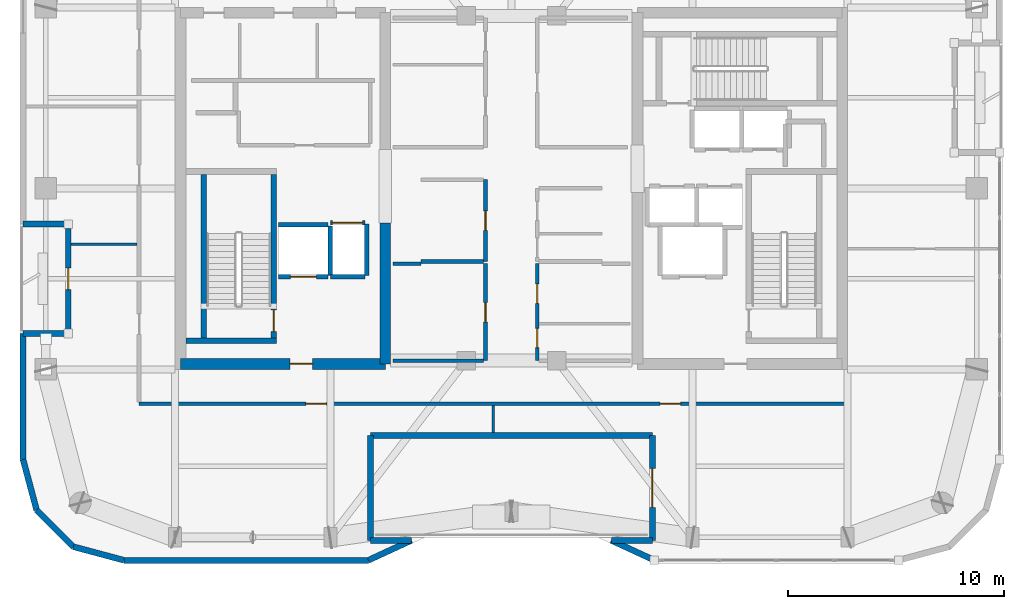
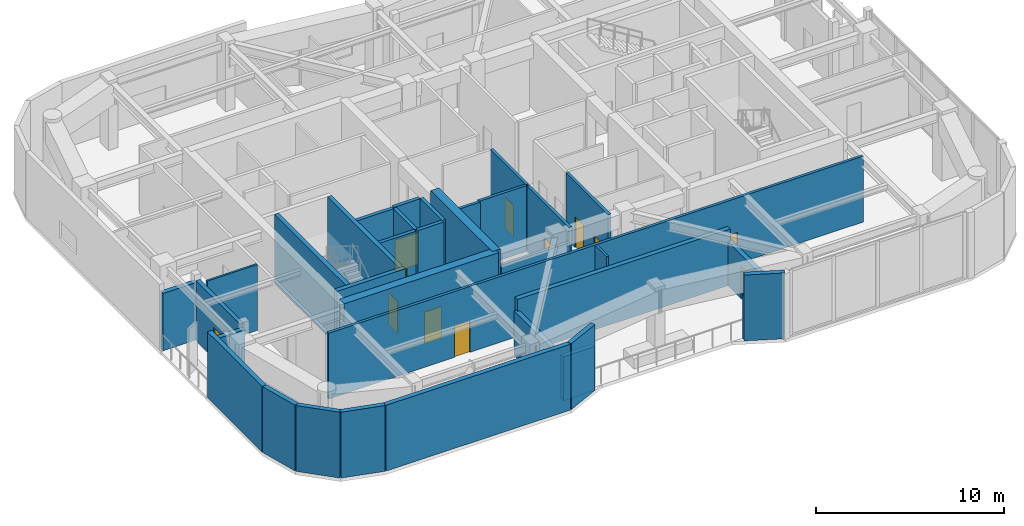
# One storey, part 9 of 14: 35 walls, 12 doors, 12 openings.
"""IFC4 building model written with IfcOpenShell, lengths in metres."""

from ifc_helpers import new_model, si_unit, direction, frame, frame_2d, origin, place, context, subcontext, project, spatial, rectangle, extrude, material, layer, layer_set, type_object, element, fill, save


model = new_model("IFC4")

# Units and contexts
model_context = context("Model", 3, precision=1e-05, world=origin(), true_north=direction((0.0, 1.0)))
body_context = subcontext(model_context, "Body", "Model", "MODEL_VIEW")
ifc_project = project(units=[si_unit("LENGTHUNIT", "METRE"), si_unit("AREAUNIT", "SQUARE_METRE"), si_unit("VOLUMEUNIT", "CUBIC_METRE"), si_unit("PLANEANGLEUNIT", "RADIAN"), si_unit("MASSUNIT", "GRAM", prefix="KILO")], contexts=[model_context])

# Site, building, storey
site_placement = place(None, origin())
site = spatial("IfcSite", under=ifc_project, at=site_placement, CompositionType="ELEMENT")
building_placement = place(site_placement, origin())
building = spatial("IfcBuilding", under=site, at=building_placement, Name="Kiyonajd Concourse Tower", CompositionType="ELEMENT")
storey_placement = place(building_placement, frame((0.0, 0.0, 294.0)))
storey = spatial("IfcBuildingStorey", under=building, at=storey_placement, Name="L74", CompositionType="ELEMENT", Elevation=294.0)

# Wall
ifc_material_1 = material(Name="Concrete C60/75", Category="concrete")
ifc_layer_1 = layer(ifc_material_1, 0.5)
ifc_layer_set_1 = layer_set([ifc_layer_1], Name="Concrete C60/75")
wall_type_1 = type_object("IfcWallType", Name="WL-CORE-500", PredefinedType="SHEAR", material=ifc_layer_set_1)
wall_1_placement = place(storey_placement, frame((42.14990234375, 27.85009765625, 0.0), z_axis=(0.0, 0.0, 1.0), x_axis=(0.0, 1.0, 0.0)))
element("IfcWall", 1, at=wall_1_placement, inside=storey, type_object=wall_type_1, Name="L74 West Core Inner South Shear Wall", PredefinedType="SHEAR", context=body_context, shape_type="SweptSolid", body=[
    extrude(rectangle(XDim=6.5498046875, YDim=0.5, at=frame_2d((3.27490234375, 0.0))), origin(), (0.0, 0.0, 1.0), 4.5),
])

# Wall, opening, door
wall_2_placement = place(storey_placement, frame((32.64990234375, 27.85009765625, 0.0), z_axis=(0.0, 0.0, 1.0), x_axis=(1.0, 0.0, 0.0)))
wall_2 = element("IfcWall", 2, at=wall_2_placement, inside=storey, type_object=wall_type_1, Name="L74 West Core South Shear Wall", PredefinedType="SHEAR", context=body_context, shape_type="SweptSolid", body=[
    extrude(rectangle(XDim=9.5, YDim=0.5, at=frame_2d((4.75, 0.0))), origin(), (0.0, 0.0, 1.0), 4.5),
])
opening_1_placement = place(wall_2_placement, frame((5.074951171875, 0.0, 0.0)))
opening_1 = element("IfcOpeningElement", 3, at=opening_1_placement, cuts=wall_2, Name="Opening DF5", PredefinedType="OPENING", context=body_context, shape_type="SweptSolid", body=[
    extrude(rectangle(XDim=1.050048828125, YDim=2.0400390625, at=frame_2d((0.52490234375, 1.02001953125))), frame((0.0, 0.260009765625, 0.0), z_axis=(0.0, -1.0, 0.0), x_axis=(1.0, 0.0, 0.0)), (0.0, 0.0, 1.0), 0.52001953125),
])
ifc_material_2 = material(Name="Brushed Stainless Steel Cab Assembly", Category="steel")
door_type_1 = type_object("IfcDoorType", Name="DR-FD45-1050", OperationType="NOTDEFINED", PredefinedType="DOOR", material=ifc_material_2)
door_1_placement = place(opening_1_placement, origin())
door_1 = element("IfcDoor", 4, at=door_1_placement, inside=storey, type_object=door_type_1, Name="L74 Firefighting Lift Lobby W Smoke Door", OperationType="SINGLE_SWING_LEFT", OverallHeight=2.0400390625, OverallWidth=1.050048828125, PredefinedType="DOOR", context=body_context, shape_type="SweptSolid", body=[
    extrude(rectangle(XDim=1.050048828125, YDim=2.0400390625, at=frame_2d((0.52490234375, 1.02001953125))), frame((0.0, 0.02490234375, 0.0), z_axis=(0.0, -1.0, 0.0), x_axis=(1.0, 0.0, 0.0)), (0.0, 0.0, 1.0), 0.050048828125),
])
fill(opening_1, door_1)

# Walls
ifc_material_3 = material(Name="Precast concrete C50/60", Category="concrete")
ifc_layer_2 = layer(ifc_material_3, 0.280029296875)
ifc_layer_set_2 = layer_set([ifc_layer_2], Name="Precast concrete C50/60")
wall_type_2 = type_object("IfcWallType", Name="WL-EXT-280", PredefinedType="SOLIDWALL", material=ifc_layer_set_2)
wall_3_placement = place(storey_placement, frame((54.630615234375, 18.739990234375, 0.0), z_axis=(0.0, 0.0, 1.0), x_axis=(-0.9079593845, 0.419058177462, 0.0)))
element("IfcWall", 5, at=wall_3_placement, inside=storey, type_object=wall_type_2, Name="L74 Exterior Concrete Frame Wall 10", PredefinedType="SOLIDWALL", context=body_context, shape_type="SweptSolid", body=[
    extrude(rectangle(XDim=2.1953125, YDim=0.280029296875, at=frame_2d((1.09765625, 0.0))), origin(), (0.0, 0.0, 1.0), 4.280029296875),
])
wall_4_placement = place(storey_placement, frame((52.637451171875, 19.659912109375, 0.0), z_axis=(0.0, 0.0, 1.0), x_axis=(1.0, 0.0, 0.0)))
element("IfcWall", 6, at=wall_4_placement, inside=storey, type_object=wall_type_2, Name="L74 Exterior Concrete Frame Wall 11", PredefinedType="SOLIDWALL", context=body_context, shape_type="SweptSolid", body=[
    extrude(rectangle(XDim=1.902587890625, YDim=0.280029296875, at=frame_2d((0.951171875, 0.0))), origin(), (0.0, 0.0, 1.0), 2.864990234375),
])

# Wall, opening, door
wall_5_placement = place(storey_placement, frame((54.5400390625, 19.659912109375, 0.0), z_axis=(0.0, 0.0, 1.0), x_axis=(0.0, 1.0, 0.0)))
wall_5 = element("IfcWall", 7, at=wall_5_placement, inside=storey, type_object=wall_type_2, Name="L74 Sky Garden Threshold Wall", PredefinedType="SOLIDWALL", context=body_context, shape_type="SweptSolid", body=[
    extrude(rectangle(XDim=4.880126953125, YDim=0.280029296875, at=frame_2d((2.43994140625, 0.0))), origin(), (0.0, 0.0, 1.0), 2.864990234375),
])
opening_2_placement = place(wall_5_placement, frame((1.5400390625, 0.0, 0.0)))
opening_2 = element("IfcOpeningElement", 8, at=opening_2_placement, cuts=wall_5, Name="Opening DSK1", PredefinedType="OPENING", context=body_context, shape_type="SweptSolid", body=[
    extrude(rectangle(XDim=1.800048828125, YDim=2.10009765625, at=frame_2d((0.89990234375, 1.050048828125))), frame((0.0, 0.14990234375, 0.0), z_axis=(0.0, -1.0, 0.0), x_axis=(1.0, 0.0, 0.0)), (0.0, 0.0, 1.0), 0.300048828125),
])
ifc_material_4 = material(Name="Thermally Broken Anodised Aluminium", Category="aluminium")
door_type_2 = type_object("IfcDoorType", Name="DR-SKY-1800", OperationType="DOUBLE_DOOR_SINGLE_SWING", PredefinedType="DOOR", material=ifc_material_4)
door_2_placement = place(opening_2_placement, origin())
door_2 = element("IfcDoor", 9, at=door_2_placement, inside=storey, type_object=door_type_2, Name="L74 Sky Garden Terrace Double Door", OperationType="DOUBLE_DOOR_SINGLE_SWING", OverallHeight=2.10009765625, OverallWidth=1.800048828125, PredefinedType="DOOR", context=body_context, shape_type="SweptSolid", body=[
    extrude(rectangle(XDim=1.800048828125, YDim=2.10009765625, at=frame_2d((0.89990234375, 1.050048828125))), frame((0.0, 0.02490234375, 0.0), z_axis=(0.0, -1.0, 0.0), x_axis=(1.0, 0.0, 0.0)), (0.0, 0.0, 1.0), 0.050048828125),
])
fill(opening_2, door_2)

# Walls
wall_6_placement = place(storey_placement, frame((54.5400390625, 24.5400390625, 0.0), z_axis=(0.0, 0.0, 1.0), x_axis=(-1.0, 0.0, 0.0)))
element("IfcWall", 10, at=wall_6_placement, inside=storey, type_object=wall_type_2, Name="L74 Sky Garden Threshold Wall", PredefinedType="SOLIDWALL", context=body_context, shape_type="SweptSolid", body=[
    extrude(rectangle(XDim=13.080078125, YDim=0.280029296875, at=frame_2d((6.5400390625, 0.0))), origin(), (0.0, 0.0, 1.0), 3.64306640625),
])
wall_7_placement = place(storey_placement, frame((41.4599609375, 24.5400390625, 0.0), z_axis=(0.0, 0.0, 1.0), x_axis=(0.0, -1.0, 0.0)))
element("IfcWall", 11, at=wall_7_placement, inside=storey, type_object=wall_type_2, Name="L74 Sky Garden Threshold Wall", PredefinedType="SOLIDWALL", context=body_context, shape_type="SweptSolid", body=[
    extrude(rectangle(XDim=4.880126953125, YDim=0.280029296875, at=frame_2d((2.43994140625, 0.0))), origin(), (0.0, 0.0, 1.0), 2.864990234375),
])
wall_8_placement = place(storey_placement, frame((41.4599609375, 19.659912109375, 0.0), z_axis=(0.0, 0.0, 1.0), x_axis=(1.0, 0.0, 0.0)))
element("IfcWall", 12, at=wall_8_placement, inside=storey, type_object=wall_type_2, Name="L74 Exterior Concrete Frame Wall 15", PredefinedType="SOLIDWALL", context=body_context, shape_type="SweptSolid", body=[
    extrude(rectangle(XDim=1.902587890625, YDim=0.280029296875, at=frame_2d((0.951171875, 0.0))), origin(), (0.0, 0.0, 1.0), 2.864990234375),
])
wall_9_placement = place(storey_placement, frame((43.362548828125, 19.659912109375, 0.0), z_axis=(0.0, 0.0, 1.0), x_axis=(-0.9079593845, -0.419058177462, 0.0)))
element("IfcWall", 13, at=wall_9_placement, inside=storey, type_object=wall_type_2, Name="L74 Exterior Concrete Frame Wall 16", PredefinedType="SOLIDWALL", context=body_context, shape_type="SweptSolid", body=[
    extrude(rectangle(XDim=2.1953125, YDim=0.280029296875, at=frame_2d((1.09765625, 0.0))), origin(), (0.0, 0.0, 1.0), 4.280029296875),
])
wall_10_placement = place(storey_placement, frame((41.369384765625, 18.739990234375, 0.0), z_axis=(0.0, 0.0, 1.0), x_axis=(-1.0, 0.0, 0.0)))
element("IfcWall", 14, at=wall_10_placement, inside=storey, type_object=wall_type_2, Name="L74 Exterior Concrete Frame Wall 17", PredefinedType="SOLIDWALL", context=body_context, shape_type="SweptSolid", body=[
    extrude(rectangle(XDim=11.35107421875, YDim=0.280029296875, at=frame_2d((5.675537109375, 0.0))), origin(), (0.0, 0.0, 1.0), 4.280029296875),
])
wall_11_placement = place(storey_placement, frame((30.018310546875, 18.739990234375, 0.0), z_axis=(0.0, 0.0, 1.0), x_axis=(-0.965937282298, 0.25877628691, 0.0)))
element("IfcWall", 15, at=wall_11_placement, inside=storey, type_object=wall_type_2, Name="L74 Exterior Concrete Frame Wall 18", PredefinedType="SOLIDWALL", context=body_context, shape_type="SweptSolid", body=[
    extrude(rectangle(XDim=2.428466796875, YDim=0.280029296875, at=frame_2d((1.21435546875, 0.0))), origin(), (0.0, 0.0, 1.0), 4.280029296875),
])
wall_12_placement = place(storey_placement, frame((27.672607421875, 19.368408203125, 0.0), z_axis=(0.0, 0.0, 1.0), x_axis=(-0.707106781187, 0.707106781187, 0.0)))
element("IfcWall", 16, at=wall_12_placement, inside=storey, type_object=wall_type_2, Name="L74 Exterior Concrete Frame Wall 19", PredefinedType="SOLIDWALL", context=body_context, shape_type="SweptSolid", body=[
    extrude(rectangle(XDim=2.409912109375, YDim=0.280029296875, at=frame_2d((1.205078125, 0.0))), origin(), (0.0, 0.0, 1.0), 4.280029296875),
])
wall_13_placement = place(storey_placement, frame((25.968505859375, 21.072509765625, 0.0), z_axis=(0.0, 0.0, 1.0), x_axis=(-0.258751159445, 0.965944013639, 0.0)))
element("IfcWall", 17, at=wall_13_placement, inside=storey, type_object=wall_type_2, Name="L74 Exterior Concrete Frame Wall 20", PredefinedType="SOLIDWALL", context=body_context, shape_type="SweptSolid", body=[
    extrude(rectangle(XDim=2.4287109375, YDim=0.280029296875, at=frame_2d((1.21435546875, 0.0))), origin(), (0.0, 0.0, 1.0), 4.280029296875),
])
wall_14_placement = place(storey_placement, frame((25.340087890625, 23.41845703125, 0.0), z_axis=(0.0, 0.0, 1.0), x_axis=(0.0, 1.0, 0.0)))
element("IfcWall", 18, at=wall_14_placement, inside=storey, type_object=wall_type_2, Name="L74 Exterior Concrete Frame Wall 21", PredefinedType="SOLIDWALL", context=body_context, shape_type="SweptSolid", body=[
    extrude(rectangle(XDim=5.841552734375, YDim=0.280029296875, at=frame_2d((2.9208984375, 0.0))), origin(), (0.0, 0.0, 1.0), 4.280029296875),
])
for number, where, z_axis, x_axis, name in (
    (19, (25.340087890625, 29.260009765625, 0.0), (0.0, 0.0, 1.0), (1.0, 0.0, 0.0), "L74 Exterior Concrete Frame Wall 22"),
    (20, (27.43994140625, 34.340087890625, 0.0), (0.0, 0.0, 1.0), (-1.0, 0.0, 0.0), "L74 Exterior Concrete Frame Wall 24"),
):
    element("IfcWall", number, at=place(storey_placement, frame(where, z_axis=z_axis, x_axis=x_axis)), inside=storey, type_object=wall_type_2, Name=name, PredefinedType="SOLIDWALL", context=body_context, shape_type="SweptSolid", body=[
        extrude(rectangle(XDim=2.099853515625, YDim=0.280029296875, at=frame_2d((1.0498046875, 0.0))), origin(), (0.0, 0.0, 1.0), 3.72607421875),
    ])

# Wall, opening, door
ifc_layer_3 = layer(ifc_material_3, 0.239990234375)
ifc_layer_set_3 = layer_set([ifc_layer_3], Name="Precast concrete C50/60")
wall_type_3 = type_object("IfcWallType", Name="WL-LOG-240", PredefinedType="SOLIDWALL", material=ifc_layer_set_3)
wall_15_placement = place(storey_placement, frame((27.43994140625, 29.455078125, 0.0), z_axis=(0.0, 0.0, 1.0), x_axis=(0.0, 1.0, 0.0)))
wall_15 = element("IfcWall", 21, at=wall_15_placement, inside=storey, type_object=wall_type_3, Name="L74 Recessed Loggia Thermal Wall LOG-W", PredefinedType="SOLIDWALL", context=body_context, shape_type="SweptSolid", body=[
    extrude(rectangle(XDim=4.68994140625, YDim=0.239990234375, at=frame_2d((2.344970703125, 0.0))), origin(), (0.0, 0.0, 1.0), 3.910888671875),
])
opening_3_placement = place(wall_15_placement, frame((1.844970703125, 0.0, 0.0)))
opening_3 = element("IfcOpeningElement", 22, at=opening_3_placement, cuts=wall_15, Name="Opening DL1", PredefinedType="OPENING", context=body_context, shape_type="SweptSolid", body=[
    extrude(rectangle(XDim=1.0, YDim=2.02001953125, at=frame_2d((0.5, 1.010009765625))), frame((0.0, 0.1298828125, 0.0), z_axis=(0.0, -1.0, 0.0), x_axis=(1.0, 0.0, 0.0)), (0.0, 0.0, 1.0), 0.260009765625),
])
door_type_3 = type_object("IfcDoorType", Name="DR-LOG-1000", OperationType="NOTDEFINED", PredefinedType="DOOR", material=ifc_material_4)
door_3_placement = place(opening_3_placement, origin())
door_3 = element("IfcDoor", 23, at=door_3_placement, inside=storey, type_object=door_type_3, Name="L74 Engawa Loggia Access Door LOG-W", OperationType="SINGLE_SWING_RIGHT", OverallHeight=2.02001953125, OverallWidth=1.0, PredefinedType="DOOR", context=body_context, shape_type="SweptSolid", body=[
    extrude(rectangle(XDim=1.0, YDim=2.02001953125, at=frame_2d((0.5, 1.010009765625))), frame((0.0, 0.02490234375, 0.0), z_axis=(0.0, -1.0, 0.0), x_axis=(1.0, 0.0, 0.0)), (0.0, 0.0, 1.0), 0.050048828125),
])
fill(opening_3, door_3)

# Walls
ifc_material_5 = material(Name="Gypsum Board on Cold-Formed Steel Stud", Category="steel")
ifc_layer_4 = layer(ifc_material_5, 0.125)
ifc_layer_set_4 = layer_set([ifc_layer_4], Name="Gypsum Board on Cold-Formed Steel Stud")
wall_type_4 = type_object("IfcWallType", Name="WL-PART-125", PredefinedType="PARTITIONING", material=ifc_layer_set_4)
wall_16_placement = place(storey_placement, frame((47.159912109375, 24.675048828125, 0.0), z_axis=(0.0, 0.0, 1.0), x_axis=(0.0, 1.0, 0.0)))
element("IfcWall", 24, at=wall_16_placement, inside=storey, type_object=wall_type_4, Name="L74 Interior Partition Wall", PredefinedType="PARTITIONING", context=body_context, shape_type="SweptSolid", body=[
    extrude(rectangle(XDim=1.238037109375, YDim=0.125, at=frame_2d((0.619140625, 0.0))), origin(), (0.0, 0.0, 1.0), 4.280029296875),
])
wall_17_placement = place(storey_placement, frame((27.554931640625, 33.39990234375, 0.0), z_axis=(0.0, 0.0, 1.0), x_axis=(1.0, 0.0, 0.0)))
element("IfcWall", 25, at=wall_17_placement, inside=storey, type_object=wall_type_4, Name="L74 Interior Partition Wall", PredefinedType="PARTITIONING", context=body_context, shape_type="SweptSolid", body=[
    extrude(rectangle(XDim=3.0830078125, YDim=0.125, at=frame_2d((1.54150390625, 0.0))), origin(), (0.0, 0.0, 1.0), 4.280029296875),
])

# Wall, opening, door
ifc_layer_5 = layer(ifc_material_5, 0.2099609375)
ifc_layer_set_5 = layer_set([ifc_layer_5], Name="Gypsum Board on Cold-Formed Steel Stud")
wall_type_5 = type_object("IfcWallType", Name="WL-SHAFT-210", PredefinedType="PARTITIONING", material=ifc_layer_set_5)
wall_18_placement = place(storey_placement, frame((37.199951171875, 31.89990234375, 0.0), z_axis=(0.0, 0.0, 1.0), x_axis=(1.0, 0.0, 0.0)))
wall_18 = element("IfcWall", 26, at=wall_18_placement, inside=storey, type_object=wall_type_5, Name="L74 Shaft Enclosure Wall", PredefinedType="PARTITIONING", context=body_context, shape_type="SweptSolid", body=[
    extrude(rectangle(XDim=2.300048828125, YDim=0.2099609375, at=frame_2d((1.14990234375, 0.0))), origin(), (0.0, 0.0, 1.0), 4.280029296875),
])
opening_4_placement = place(wall_18_placement, frame((0.550048828125, 0.0, 0.0)))
opening_4 = element("IfcOpeningElement", 27, at=opening_4_placement, cuts=wall_18, Name="Opening LD2", PredefinedType="OPENING", context=body_context, shape_type="SweptSolid", body=[
    extrude(rectangle(XDim=1.199951171875, YDim=2.0400390625, at=frame_2d((0.60009765625, 1.02001953125))), frame((0.0, 0.114990234375, 0.0), z_axis=(0.0, -1.0, 0.0), x_axis=(1.0, 0.0, 0.0)), (0.0, 0.0, 1.0), 0.22998046875),
])
door_type_4 = type_object("IfcDoorType", Name="DR-LD-1200", OperationType="DOUBLE_DOOR_SLIDING", PredefinedType="DOOR", material=ifc_material_2)
door_4_placement = place(opening_4_placement, origin())
door_4 = element("IfcDoor", 28, at=door_4_placement, inside=storey, type_object=door_type_4, Name="L74 Lift FFL1 Sliding Landing Door", OperationType="DOUBLE_DOOR_SLIDING", OverallHeight=2.0400390625, OverallWidth=1.199951171875, PredefinedType="DOOR", context=body_context, shape_type="SweptSolid", body=[
    extrude(rectangle(XDim=1.199951171875, YDim=2.0400390625, at=frame_2d((0.60009765625, 1.02001953125))), frame((0.0, 0.02490234375, 0.0), z_axis=(0.0, -1.0, 0.0), x_axis=(1.0, 0.0, 0.0)), (0.0, 0.0, 1.0), 0.050048828125),
])
fill(opening_4, door_4)

# Walls
wall_19_placement = place(storey_placement, frame((37.199951171875, 34.300048828125, 0.0), z_axis=(0.0, 0.0, 1.0), x_axis=(1.0, 0.0, 0.0)))
element("IfcWall", 29, at=wall_19_placement, inside=storey, type_object=wall_type_5, Name="L74 Shaft Enclosure Wall", PredefinedType="PARTITIONING", context=body_context, shape_type="SweptSolid", body=[
    extrude(rectangle(XDim=2.300048828125, YDim=0.2099609375, at=frame_2d((1.14990234375, 0.0))), origin(), (0.0, 0.0, 1.0), 4.280029296875),
])
wall_20_placement = place(storey_placement, frame((39.60009765625, 31.9599609375, 0.0), z_axis=(0.0, 0.0, 1.0), x_axis=(0.0, 1.0, 0.0)))
element("IfcWall", 30, at=wall_20_placement, inside=storey, type_object=wall_type_5, Name="L74 Shaft Enclosure Wall", PredefinedType="PARTITIONING", context=body_context, shape_type="SweptSolid", body=[
    extrude(rectangle(XDim=2.280029296875, YDim=0.2099609375, at=frame_2d((1.14013671875, 0.0))), origin(), (0.0, 0.0, 1.0), 4.280029296875),
])

# Wall, opening, door
wall_21_placement = place(storey_placement, frame((39.60009765625, 34.39990234375, 0.0), z_axis=(0.0, 0.0, 1.0), x_axis=(1.0, 0.0, 0.0)))
wall_21 = element("IfcWall", 31, at=wall_21_placement, inside=storey, type_object=wall_type_5, Name="L74 Shaft Enclosure Wall", PredefinedType="PARTITIONING", context=body_context, shape_type="SweptSolid", body=[
    extrude(rectangle(XDim=1.599853515625, YDim=0.2099609375, at=frame_2d((0.7998046875, 0.0))), origin(), (0.0, 0.0, 1.0), 4.280029296875),
])
opening_5_placement = place(wall_21_placement, frame((0.10009765625, 0.0, 0.0)))
opening_5 = element("IfcOpeningElement", 32, at=opening_5_placement, cuts=wall_21, Name="Opening LD3", PredefinedType="OPENING", context=body_context, shape_type="SweptSolid", body=[
    extrude(rectangle(XDim=1.39990234375, YDim=2.06005859375, at=frame_2d((0.699951171875, 1.030029296875))), frame((0.0, 0.114990234375, 0.0), z_axis=(0.0, -1.0, 0.0), x_axis=(1.0, 0.0, 0.0)), (0.0, 0.0, 1.0), 0.22998046875),
])
door_type_5 = type_object("IfcDoorType", Name="DR-LD-1400", OperationType="DOUBLE_DOOR_SLIDING", PredefinedType="DOOR", material=ifc_material_2)
door_5_placement = place(opening_5_placement, origin())
door_5 = element("IfcDoor", 33, at=door_5_placement, inside=storey, type_object=door_type_5, Name="L74 Lift SVL1 Sliding Landing Door", OperationType="DOUBLE_DOOR_SLIDING", OverallHeight=2.06005859375, OverallWidth=1.39990234375, PredefinedType="DOOR", context=body_context, shape_type="SweptSolid", body=[
    extrude(rectangle(XDim=1.39990234375, YDim=2.06005859375, at=frame_2d((0.699951171875, 1.030029296875))), frame((0.0, 0.02490234375, 0.0), z_axis=(0.0, -1.0, 0.0), x_axis=(1.0, 0.0, 0.0)), (0.0, 0.0, 1.0), 0.050048828125),
])
fill(opening_5, door_5)

# Walls
wall_22_placement = place(storey_placement, frame((39.60009765625, 31.89990234375, 0.0), z_axis=(0.0, 0.0, 1.0), x_axis=(1.0, 0.0, 0.0)))
element("IfcWall", 34, at=wall_22_placement, inside=storey, type_object=wall_type_5, Name="L74 Shaft Enclosure Wall", PredefinedType="PARTITIONING", context=body_context, shape_type="SweptSolid", body=[
    extrude(rectangle(XDim=1.599853515625, YDim=0.2099609375, at=frame_2d((0.7998046875, 0.0))), origin(), (0.0, 0.0, 1.0), 4.280029296875),
])
wall_23_placement = place(storey_placement, frame((41.300048828125, 31.9599609375, 0.0), z_axis=(0.0, 0.0, 1.0), x_axis=(0.0, 1.0, 0.0)))
element("IfcWall", 35, at=wall_23_placement, inside=storey, type_object=wall_type_5, Name="L74 Shaft Enclosure Wall", PredefinedType="PARTITIONING", context=body_context, shape_type="SweptSolid", body=[
    extrude(rectangle(XDim=2.380126953125, YDim=0.2099609375, at=frame_2d((1.18994140625, 0.0))), origin(), (0.0, 0.0, 1.0), 4.280029296875),
])

# Wall, opening, door
ifc_layer_6 = layer(ifc_material_5, 0.169921875)
ifc_layer_set_6 = layer_set([ifc_layer_6], Name="Gypsum Board on Cold-Formed Steel Stud")
wall_type_6 = type_object("IfcWallType", Name="WL-SMK-170", PredefinedType="PARTITIONING", material=ifc_layer_set_6)
wall_24_placement = place(storey_placement, frame((46.800048828125, 32.60009765625, 0.0), z_axis=(0.0, 0.0, 1.0), x_axis=(0.0, 1.0, 0.0)))
wall_24 = element("IfcWall", 36, at=wall_24_placement, inside=storey, type_object=wall_type_6, Name="L74 Interior Partition Wall", PredefinedType="PARTITIONING", context=body_context, shape_type="SweptSolid", body=[
    extrude(rectangle(XDim=3.7998046875, YDim=0.169921875, at=frame_2d((1.89990234375, 0.0))), origin(), (0.0, 0.0, 1.0), 4.280029296875),
])
opening_6_placement = place(wall_24_placement, frame((1.449951171875, 0.0, 0.0)))
opening_6 = element("IfcOpeningElement", 37, at=opening_6_placement, cuts=wall_24, Name="Opening DI2", PredefinedType="OPENING", context=body_context, shape_type="SweptSolid", body=[
    extrude(rectangle(XDim=0.89990234375, YDim=2.02001953125, at=frame_2d((0.449951171875, 1.010009765625))), frame((0.0, 0.094970703125, 0.0), z_axis=(0.0, -1.0, 0.0), x_axis=(1.0, 0.0, 0.0)), (0.0, 0.0, 1.0), 0.18994140625),
])
ifc_material_6 = material(Name="Natural Oak Acoustic Timber Veneer", Category="wood")
door_type_6 = type_object("IfcDoorType", Name="DR-INT-900", OperationType="NOTDEFINED", PredefinedType="DOOR", material=ifc_material_6)
door_6_placement = place(opening_6_placement, origin())
door_6 = element("IfcDoor", 38, at=door_6_placement, inside=storey, type_object=door_type_6, Name="L74 Interior Door", OperationType="SINGLE_SWING_RIGHT", OverallHeight=2.02001953125, OverallWidth=0.89990234375, PredefinedType="DOOR", context=body_context, shape_type="SweptSolid", body=[
    extrude(rectangle(XDim=0.89990234375, YDim=2.02001953125, at=frame_2d((0.449951171875, 1.010009765625))), frame((0.0, 0.02490234375, 0.0), z_axis=(0.0, -1.0, 0.0), x_axis=(1.0, 0.0, 0.0)), (0.0, 0.0, 1.0), 0.050048828125),
])
fill(opening_6, door_6)

# Wall
wall_25_placement = place(storey_placement, frame((43.800048828125, 32.60009765625, 0.0), z_axis=(0.0, 0.0, 1.0), x_axis=(1.0, 0.0, 0.0)))
element("IfcWall", 39, at=wall_25_placement, inside=storey, type_object=wall_type_6, Name="L74 Interior Partition Wall", PredefinedType="PARTITIONING", context=body_context, shape_type="SweptSolid", body=[
    extrude(rectangle(XDim=2.912841796875, YDim=0.169921875, at=frame_2d((1.45654296875, 0.0))), origin(), (0.0, 0.0, 1.0), 4.280029296875),
])

# Wall, opening, door
wall_26_placement = place(storey_placement, frame((46.800048828125, 28.0, 0.0), z_axis=(0.0, 0.0, 1.0), x_axis=(0.0, 1.0, 0.0)))
wall_26 = element("IfcWall", 40, at=wall_26_placement, inside=storey, type_object=wall_type_6, Name="L74 Interior Partition Wall", PredefinedType="PARTITIONING", context=body_context, shape_type="SweptSolid", body=[
    extrude(rectangle(XDim=4.5, YDim=0.169921875, at=frame_2d((2.25, 0.0))), origin(), (0.0, 0.0, 1.0), 4.280029296875),
])
opening_7_placement = place(wall_26_placement, frame((1.800048828125, 0.0, 0.0)))
opening_7 = element("IfcOpeningElement", 41, at=opening_7_placement, cuts=wall_26, Name="Opening DI2", PredefinedType="OPENING", context=body_context, shape_type="SweptSolid", body=[
    extrude(rectangle(XDim=0.89990234375, YDim=2.02001953125, at=frame_2d((0.449951171875, 1.010009765625))), frame((0.0, 0.094970703125, 0.0), z_axis=(0.0, -1.0, 0.0), x_axis=(1.0, 0.0, 0.0)), (0.0, 0.0, 1.0), 0.18994140625),
])
door_7_placement = place(opening_7_placement, origin())
door_7 = element("IfcDoor", 42, at=door_7_placement, inside=storey, type_object=door_type_6, Name="L74 Interior Door", OperationType="SINGLE_SWING_LEFT", OverallHeight=2.02001953125, OverallWidth=0.89990234375, PredefinedType="DOOR", context=body_context, shape_type="SweptSolid", body=[
    extrude(rectangle(XDim=0.89990234375, YDim=2.02001953125, at=frame_2d((0.449951171875, 1.010009765625))), frame((0.0, 0.02490234375, 0.0), z_axis=(0.0, -1.0, 0.0), x_axis=(1.0, 0.0, 0.0)), (0.0, 0.0, 1.0), 0.050048828125),
])
fill(opening_7, door_7)

# Walls
wall_27_placement = place(storey_placement, frame((42.5, 28.0, 0.0), z_axis=(0.0, 0.0, 1.0), x_axis=(1.0, 0.0, 0.0)))
element("IfcWall", 43, at=wall_27_placement, inside=storey, type_object=wall_type_6, Name="L74 Interior Partition Wall", PredefinedType="PARTITIONING", context=body_context, shape_type="SweptSolid", body=[
    extrude(rectangle(XDim=4.212890625, YDim=0.169921875, at=frame_2d((2.1064453125, 0.0))), origin(), (0.0, 0.0, 1.0), 3.364990234375),
])
wall_28_placement = place(storey_placement, frame((42.5, 32.5, 0.0), z_axis=(0.0, 0.0, 1.0), x_axis=(1.0, 0.0, 0.0)))
element("IfcWall", 44, at=wall_28_placement, inside=storey, type_object=wall_type_6, Name="L74 Interior Partition Wall", PredefinedType="PARTITIONING", context=body_context, shape_type="SweptSolid", body=[
    extrude(rectangle(XDim=1.300048828125, YDim=0.169921875, at=frame_2d((0.64990234375, 0.0))), origin(), (0.0, 0.0, 1.0), 4.280029296875),
])

# Wall, openings, doors
wall_29_placement = place(storey_placement, frame((49.199951171875, 28.0, 0.0), z_axis=(0.0, 0.0, 1.0), x_axis=(0.0, 1.0, 0.0)))
wall_29 = element("IfcWall", 45, at=wall_29_placement, inside=storey, type_object=wall_type_6, Name="L74 Interior Partition Wall", PredefinedType="PARTITIONING", context=body_context, shape_type="SweptSolid", body=[
    extrude(rectangle(XDim=4.5, YDim=0.169921875, at=frame_2d((2.25, 0.0))), origin(), (0.0, 0.0, 1.0), 4.280029296875),
])
opening_8_placement = place(wall_29_placement, frame((0.60498046875, 0.0, 0.0)))
opening_8 = element("IfcOpeningElement", 46, at=opening_8_placement, cuts=wall_29, Name="Opening DI2", PredefinedType="OPENING", context=body_context, shape_type="SweptSolid", body=[
    extrude(rectangle(XDim=0.89990234375, YDim=2.02001953125, at=frame_2d((0.449951171875, 1.010009765625))), frame((0.0, 0.094970703125, 0.0), z_axis=(0.0, -1.0, 0.0), x_axis=(1.0, 0.0, 0.0)), (0.0, 0.0, 1.0), 0.18994140625),
])
opening_9_placement = place(wall_29_placement, frame((2.655029296875, 0.0, 0.0)))
opening_9 = element("IfcOpeningElement", 47, at=opening_9_placement, cuts=wall_29, Name="Opening DI2", PredefinedType="OPENING", context=body_context, shape_type="SweptSolid", body=[
    extrude(rectangle(XDim=0.89990234375, YDim=2.02001953125, at=frame_2d((0.449951171875, 1.010009765625))), frame((0.0, 0.094970703125, 0.0), z_axis=(0.0, -1.0, 0.0), x_axis=(1.0, 0.0, 0.0)), (0.0, 0.0, 1.0), 0.18994140625),
])
door_8_placement = place(opening_8_placement, origin())
door_8 = element("IfcDoor", 48, at=door_8_placement, inside=storey, type_object=door_type_6, Name="L74 Interior Door", OperationType="SINGLE_SWING_RIGHT", OverallHeight=2.02001953125, OverallWidth=0.89990234375, PredefinedType="DOOR", context=body_context, shape_type="SweptSolid", body=[
    extrude(rectangle(XDim=0.89990234375, YDim=2.02001953125, at=frame_2d((0.449951171875, 1.010009765625))), frame((0.0, 0.02490234375, 0.0), z_axis=(0.0, -1.0, 0.0), x_axis=(1.0, 0.0, 0.0)), (0.0, 0.0, 1.0), 0.050048828125),
])
fill(opening_8, door_8)
door_9_placement = place(opening_9_placement, origin())
door_9 = element("IfcDoor", 49, at=door_9_placement, inside=storey, type_object=door_type_6, Name="L74 Interior Door", OperationType="SINGLE_SWING_LEFT", OverallHeight=2.02001953125, OverallWidth=0.89990234375, PredefinedType="DOOR", context=body_context, shape_type="SweptSolid", body=[
    extrude(rectangle(XDim=0.89990234375, YDim=2.02001953125, at=frame_2d((0.449951171875, 1.010009765625))), frame((0.0, 0.02490234375, 0.0), z_axis=(0.0, -1.0, 0.0), x_axis=(1.0, 0.0, 0.0)), (0.0, 0.0, 1.0), 0.050048828125),
])
fill(opening_9, door_9)

wall_30_placement = place(storey_placement, frame((30.72509765625, 26.0, 0.0), z_axis=(0.0, 0.0, 1.0), x_axis=(1.0, 0.0, 0.0)))
wall_30 = element("IfcWall", 50, at=wall_30_placement, inside=storey, type_object=wall_type_6, Name="L74 Interior Partition Wall", PredefinedType="PARTITIONING", context=body_context, shape_type="SweptSolid", body=[
    extrude(rectangle(XDim=32.875, YDim=0.169921875, at=frame_2d((16.4375, 0.0))), origin(), (0.0, 0.0, 1.0), 4.280029296875),
])
opening_10_placement = place(wall_30_placement, frame((7.741943359375, 0.0, 0.0)))
opening_10 = element("IfcOpeningElement", 51, at=opening_10_placement, cuts=wall_30, Name="Opening DI1", PredefinedType="OPENING", context=body_context, shape_type="SweptSolid", body=[
    extrude(rectangle(XDim=0.949951171875, YDim=2.0400390625, at=frame_2d((0.47509765625, 1.02001953125))), frame((0.0, 0.094970703125, 0.0), z_axis=(0.0, -1.0, 0.0), x_axis=(1.0, 0.0, 0.0)), (0.0, 0.0, 1.0), 0.18994140625),
])
opening_11_placement = place(wall_30_placement, frame((24.179931640625, 0.0, 0.0)))
opening_11 = element("IfcOpeningElement", 52, at=opening_11_placement, cuts=wall_30, Name="Opening DI1", PredefinedType="OPENING", context=body_context, shape_type="SweptSolid", body=[
    extrude(rectangle(XDim=0.949951171875, YDim=2.0400390625, at=frame_2d((0.47509765625, 1.02001953125))), frame((0.0, 0.094970703125, 0.0), z_axis=(0.0, -1.0, 0.0), x_axis=(1.0, 0.0, 0.0)), (0.0, 0.0, 1.0), 0.18994140625),
])
door_type_7 = type_object("IfcDoorType", Name="DR-INT-950", OperationType="NOTDEFINED", PredefinedType="DOOR", material=ifc_material_6)
door_10_placement = place(opening_10_placement, origin())
door_10 = element("IfcDoor", 53, at=door_10_placement, inside=storey, type_object=door_type_7, Name="L74 Interior Door", OperationType="SINGLE_SWING_LEFT", OverallHeight=2.0400390625, OverallWidth=0.949951171875, PredefinedType="DOOR", context=body_context, shape_type="SweptSolid", body=[
    extrude(rectangle(XDim=0.949951171875, YDim=2.0400390625, at=frame_2d((0.47509765625, 1.02001953125))), frame((0.0, 0.02490234375, 0.0), z_axis=(0.0, -1.0, 0.0), x_axis=(1.0, 0.0, 0.0)), (0.0, 0.0, 1.0), 0.050048828125),
])
fill(opening_10, door_10)
door_11_placement = place(opening_11_placement, origin())
door_11 = element("IfcDoor", 54, at=door_11_placement, inside=storey, type_object=door_type_7, Name="L74 Interior Door", OperationType="SINGLE_SWING_RIGHT", OverallHeight=2.0400390625, OverallWidth=0.949951171875, PredefinedType="DOOR", context=body_context, shape_type="SweptSolid", body=[
    extrude(rectangle(XDim=0.949951171875, YDim=2.0400390625, at=frame_2d((0.47509765625, 1.02001953125))), frame((0.0, 0.02490234375, 0.0), z_axis=(0.0, -1.0, 0.0), x_axis=(1.0, 0.0, 0.0)), (0.0, 0.0, 1.0), 0.050048828125),
])
fill(opening_11, door_11)

# Walls
ifc_material_7 = material(Name="Concrete C50/60", Category="concrete")
ifc_layer_7 = layer(ifc_material_7, 0.260009765625)
ifc_layer_set_7 = layer_set([ifc_layer_7], Name="Concrete C50/60")
wall_type_7 = type_object("IfcWallType", Name="WL-STAIR-260", PredefinedType="SHEAR", material=ifc_layer_set_7)
wall_31_placement = place(storey_placement, frame((32.89990234375, 28.919921875, 0.0), z_axis=(0.0, 0.0, 1.0), x_axis=(1.0, 0.0, 0.0)))
element("IfcWall", 55, at=wall_31_placement, inside=storey, type_object=wall_type_7, Name="L74 Stair ST1 Structural South Wall", PredefinedType="SHEAR", context=body_context, shape_type="SweptSolid", body=[
    extrude(rectangle(XDim=4.210205078125, YDim=0.260009765625, at=frame_2d((2.10498046875, 0.0))), origin(), (0.0, 0.0, 1.0), 4.5),
])
wall_32_placement = place(storey_placement, frame((33.719970703125, 29.050048828125, 0.0), z_axis=(0.0, 0.0, 1.0), x_axis=(0.0, 1.0, 0.0)))
element("IfcWall", 56, at=wall_32_placement, inside=storey, type_object=wall_type_7, Name="L74 Stair ST1 Structural West Wall", PredefinedType="SHEAR", context=body_context, shape_type="SweptSolid", body=[
    extrude(rectangle(XDim=7.599853515625, YDim=0.260009765625, at=frame_2d((3.7998046875, 0.0))), origin(), (0.0, 0.0, 1.0), 4.5),
])

# Wall, opening, door
wall_33_placement = place(storey_placement, frame((36.97998046875, 29.050048828125, 0.0), z_axis=(0.0, 0.0, 1.0), x_axis=(0.0, 1.0, 0.0)))
wall_33 = element("IfcWall", 57, at=wall_33_placement, inside=storey, type_object=wall_type_7, Name="L74 Stair ST1 Structural East Wall", PredefinedType="SHEAR", context=body_context, shape_type="SweptSolid", body=[
    extrude(rectangle(XDim=7.599853515625, YDim=0.260009765625, at=frame_2d((3.7998046875, 0.0))), origin(), (0.0, 0.0, 1.0), 4.5),
])
opening_12_placement = place(wall_33_placement, frame((0.300048828125, 0.0, 0.0)))
opening_12 = element("IfcOpeningElement", 58, at=opening_12_placement, cuts=wall_33, Name="Opening DF1", PredefinedType="OPENING", context=body_context, shape_type="SweptSolid", body=[
    extrude(rectangle(XDim=1.0, YDim=2.0400390625, at=frame_2d((0.5, 1.02001953125))), frame((0.0, 0.139892578125, 0.0), z_axis=(0.0, -1.0, 0.0), x_axis=(1.0, 0.0, 0.0)), (0.0, 0.0, 1.0), 0.280029296875),
])
door_type_8 = type_object("IfcDoorType", Name="DR-FD90-1000", OperationType="NOTDEFINED", PredefinedType="DOOR", material=ifc_material_2)
door_12_placement = place(opening_12_placement, origin())
door_12 = element("IfcDoor", 59, at=door_12_placement, inside=storey, type_object=door_type_8, Name="L74 Stair ST1 FSAE Door", OperationType="SINGLE_SWING_LEFT", OverallHeight=2.0400390625, OverallWidth=1.0, PredefinedType="DOOR", context=body_context, shape_type="SweptSolid", body=[
    extrude(rectangle(XDim=1.0, YDim=2.0400390625, at=frame_2d((0.5, 1.02001953125))), frame((0.0, 0.02490234375, 0.0), z_axis=(0.0, -1.0, 0.0), x_axis=(1.0, 0.0, 0.0)), (0.0, 0.0, 1.0), 0.050048828125),
])
fill(opening_12, door_12)

save(model, "model.ifc")
